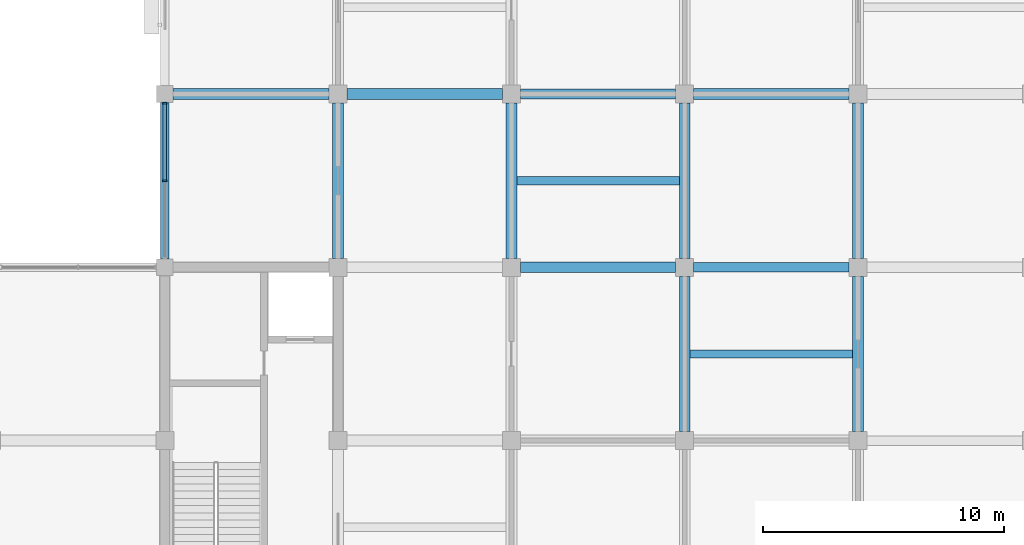
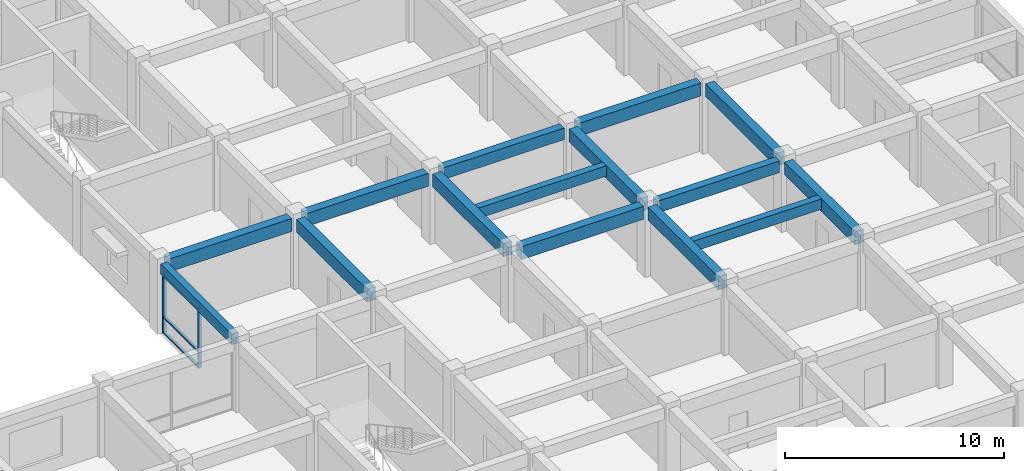
# One storey, part 6 of 31: 15 beams, 5 members, 1 element without a shape of its own.
"""IFC4 building model written with IfcOpenShell, lengths in metres."""

from ifc_helpers import new_model, si_unit, direction, frame, origin, origin_2d, place, context, subcontext, project, spatial, rectangle, extrude, material, layer, layer_set, material_profile, profile_set, type_object, element, aggregate, save


model = new_model("IFC4")

# Units and contexts
model_context = context("Model", 3, precision=1e-05, world=origin(), true_north=direction((0.0, 1.0)))
body_context = subcontext(model_context, "Body", "Model", "MODEL_VIEW")
ifc_project = project(units=[si_unit("LENGTHUNIT", "METRE"), si_unit("AREAUNIT", "SQUARE_METRE"), si_unit("VOLUMEUNIT", "CUBIC_METRE"), si_unit("PLANEANGLEUNIT", "RADIAN"), si_unit("MASSUNIT", "GRAM", prefix="KILO")], contexts=[model_context])

# Site, building, storey
site_placement = place(None, origin())
site = spatial("IfcSite", under=ifc_project, at=site_placement, CompositionType="ELEMENT")
building_placement = place(site_placement, origin())
building = spatial("IfcBuilding", under=site, at=building_placement, Name="Cendaluz Park School", CompositionType="ELEMENT")
storey_placement = place(building_placement, frame((0.0, 0.0, 14.39990234375)))
storey = spatial("IfcBuildingStorey", under=building, at=storey_placement, Name="L03", CompositionType="ELEMENT", Elevation=14.39990234375)

# Beams
ifc_material_1 = material(Name="Concrete C40/50", Category="concrete")
ifc_material_profile_1 = material_profile(ifc_material_1, rectangle(XDim=0.449951171875, YDim=0.719970703125, at=origin_2d()), Name="RC 450x720", Category="concrete")
ifc_profile_set_1 = profile_set([ifc_material_profile_1], Name="Concrete C40/50")
beam_type_1 = type_object("IfcBeamType", Name="BM-RC02", PredefinedType="BEAM", material=ifc_profile_set_1)
beam_1_placement = place(storey_placement, frame((65.14990234375, 36.0, 3.530029296875), z_axis=(1.0, 0.0, 0.0), x_axis=(0.0, 1.0, 0.0)))
element("IfcBeam", 1, at=beam_1_placement, inside=storey, type_object=beam_type_1, Name="BM-L03-BMRC02-0031", PredefinedType="BEAM", context=body_context, shape_type="SweptSolid", body=[
    extrude(rectangle(XDim=0.449951171875, YDim=0.719970703125, at=origin_2d()), origin(), (0.0, 0.0, 1.0), 6.47509765625),
])
for number, where, z_axis, x_axis, name in (
    (2, (72.375, 36.0, 3.530029296875), (1.0, 0.0, 0.0), (0.0, 1.0, 0.0), "BM-L03-BMRC02-0040"),
    (3, (79.574951171875, 28.800048828125, 3.530029296875), (1.0, 0.0, 0.0), (0.0, 1.0, 0.0), "BM-L03-BMRC02-0049"),
):
    element("IfcBeam", number, at=place(storey_placement, frame(where, z_axis=z_axis, x_axis=x_axis)), inside=storey, type_object=beam_type_1, Name=name, PredefinedType="BEAM", context=body_context, shape_type="SweptSolid", body=[
        extrude(rectangle(XDim=0.449951171875, YDim=0.719970703125, at=origin_2d()), origin(), (0.0, 0.0, 1.0), 6.449951171875),
    ])
beam_2_placement = place(storey_placement, frame((86.77490234375, 36.0, 3.530029296875), z_axis=(1.0, 0.0, 0.0), x_axis=(0.0, 1.0, 0.0)))
element("IfcBeam", 4, at=beam_2_placement, inside=storey, type_object=beam_type_1, Name="BM-L03-BMRC02-0060", PredefinedType="BEAM", context=body_context, shape_type="SweptSolid", body=[
    extrude(rectangle(XDim=0.449951171875, YDim=0.719970703125, at=origin_2d()), origin(), (0.0, 0.0, 1.0), 6.4501953125),
])
for number, where, z_axis, x_axis, name in (
    (5, (72.0, 29.175048828125, 3.530029296875), (0.0, 1.0, 0.0), (-1.0, 0.0, 0.0), "BM-L03-BMRC02-0144"),
    (6, (79.199951171875, 29.175048828125, 3.530029296875), (0.0, 1.0, 0.0), (-1.0, 0.0, 0.0), "BM-L03-BMRC02-0153"),
    (7, (86.39990234375, 21.97509765625, 3.530029296875), (0.0, 1.0, 0.0), (-1.0, 0.0, 0.0), "BM-L03-BMRC02-0161"),
    (8, (86.39990234375, 29.175048828125, 3.530029296875), (0.0, 1.0, 0.0), (-1.0, 0.0, 0.0), "BM-L03-BMRC02-0162"),
    (9, (93.60009765625, 21.97509765625, 3.530029296875), (0.0, 1.0, 0.0), (-1.0, 0.0, 0.0), "BM-L03-BMRC02-0170"),
    (10, (93.60009765625, 29.175048828125, 3.530029296875), (0.0, 1.0, 0.0), (-1.0, 0.0, 0.0), "BM-L03-BMRC02-0171"),
):
    element("IfcBeam", number, at=place(storey_placement, frame(where, z_axis=z_axis, x_axis=x_axis)), inside=storey, type_object=beam_type_1, Name=name, PredefinedType="BEAM", context=body_context, shape_type="SweptSolid", body=[
        extrude(rectangle(XDim=0.449951171875, YDim=0.719970703125, at=origin_2d()), origin(), (0.0, 0.0, 1.0), 6.449951171875),
    ])
ifc_material_profile_2 = material_profile(ifc_material_1, rectangle(XDim=0.39990234375, YDim=0.64990234375, at=origin_2d()), Name="RC 400x650", Category="concrete")
ifc_profile_set_2 = profile_set([ifc_material_profile_2], Name="Concrete C40/50")
beam_type_2 = type_object("IfcBeamType", Name="BM-RC03", PredefinedType="T_BEAM", material=ifc_profile_set_2)
beam_3_placement = place(storey_placement, frame((79.574951171875, 36.0, 3.565185546875), z_axis=(1.0, 0.0, 0.0), x_axis=(0.0, 1.0, 0.0)))
element("IfcBeam", 11, at=beam_3_placement, inside=storey, type_object=beam_type_2, Name="BM-L03-BMRC03-0050", PredefinedType="T_BEAM", context=body_context, shape_type="SweptSolid", body=[
    extrude(rectangle(XDim=0.39990234375, YDim=0.64990234375, at=origin_2d()), origin(), (0.0, 0.0, 1.0), 6.449951171875),
])
beam_4_placement = place(storey_placement, frame((86.77490234375, 28.800048828125, 3.565185546875), z_axis=(1.0, 0.0, 0.0), x_axis=(0.0, 1.0, 0.0)))
element("IfcBeam", 12, at=beam_4_placement, inside=storey, type_object=beam_type_2, Name="BM-L03-BMRC03-0059", PredefinedType="T_BEAM", context=body_context, shape_type="SweptSolid", body=[
    extrude(rectangle(XDim=0.39990234375, YDim=0.64990234375, at=origin_2d()), origin(), (0.0, 0.0, 1.0), 6.4501953125),
])
ifc_material_profile_3 = material_profile(ifc_material_1, rectangle(XDim=0.35009765625, YDim=0.580078125, at=origin_2d()), Name="RC 350x580", Category="concrete")
ifc_profile_set_3 = profile_set([ifc_material_profile_3], Name="Concrete C40/50")
beam_type_3 = type_object("IfcBeamType", Name="BM-RC04", PredefinedType="LINTEL", material=ifc_profile_set_3)
beam_5_placement = place(storey_placement, frame((64.800048828125, 29.14990234375, 3.60009765625), z_axis=(0.0, 1.0, 0.0), x_axis=(-1.0, 0.0, 0.0)))
element("IfcBeam", 13, at=beam_5_placement, inside=storey, type_object=beam_type_3, Name="BM-L03-BMRC04-0135", PredefinedType="LINTEL", context=body_context, shape_type="SweptSolid", body=[
    extrude(rectangle(XDim=0.35009765625, YDim=0.580078125, at=origin_2d()), origin(), (0.0, 0.0, 1.0), 6.5),
])

# Curtain wall, members
ifc_material_2 = material(Name="Anodised Aluminium 6063-T6", Category="aluminium")
ifc_layer = layer(ifc_material_2, 0.179931640625)
ifc_layer_set = layer_set([ifc_layer], Name="Anodised Aluminium 6063-T6")
curtain_wall_type = type_object("IfcCurtainWallType", Name="CW-130x66", PredefinedType="NOTDEFINED", material=ifc_layer_set)
curtain_wall_placement = place(storey_placement, origin())
curtain_wall = element("IfcCurtainWall", 14, at=curtain_wall_placement, inside=storey, type_object=curtain_wall_type, Name="CW-L03-141", PredefinedType="NOTDEFINED")
ifc_material_profile_4 = material_profile(ifc_material_2, rectangle(XDim=0.179931640625, YDim=0.070068359375, at=origin_2d()), Name="CWM 180x70", Category="aluminium")
ifc_profile_set_4 = profile_set([ifc_material_profile_4], Name="Anodised Aluminium 6063-T6")
member_type_1 = type_object("IfcMemberType", Name="CWM-01", PredefinedType="MULLION", material=ifc_profile_set_4)
member_1_placement = place(storey_placement, frame((64.800048828125, 32.39990234375, 0.0), z_axis=(0.0, 0.0, 1.0), x_axis=(-1.0, 0.0, 0.0)))
member_1 = element("IfcMember", 15, at=member_1_placement, type_object=member_type_1, Name="CP-L03-1822", PredefinedType="MULLION", context=body_context, shape_type="SweptSolid", body=[
    extrude(rectangle(XDim=0.179931640625, YDim=0.070068359375, at=origin_2d()), origin(), (0.0, 0.0, 1.0), 3.31005859375),
])
member_2_placement = place(storey_placement, frame((64.800048828125, 35.614990234375, 0.0), z_axis=(0.0, 0.0, 1.0), x_axis=(-1.0, 0.0, 0.0)))
member_2 = element("IfcMember", 16, at=member_2_placement, type_object=member_type_1, Name="CP-L03-1823", PredefinedType="MULLION", context=body_context, shape_type="SweptSolid", body=[
    extrude(rectangle(XDim=0.179931640625, YDim=0.070068359375, at=origin_2d()), origin(), (0.0, 0.0, 1.0), 3.31005859375),
])
ifc_material_profile_5 = material_profile(ifc_material_2, rectangle(XDim=0.139892578125, YDim=0.070068359375, at=origin_2d()), Name="CWT 140x70", Category="aluminium")
ifc_profile_set_5 = profile_set([ifc_material_profile_5], Name="Anodised Aluminium 6063-T6")
member_type_2 = type_object("IfcMemberType", Name="CWT-01", PredefinedType="USERDEFINED", material=ifc_profile_set_5)
member_3_placement = place(storey_placement, frame((64.800048828125, 32.43505859375, 0.03515625), z_axis=(0.0, 1.0, 0.0), x_axis=(-1.0, 0.0, 0.0)))
member_3 = element("IfcMember", 17, at=member_3_placement, type_object=member_type_2, Name="CP-L03-1829", ObjectType="TRANSOM", PredefinedType="USERDEFINED", context=body_context, shape_type="SweptSolid", body=[
    extrude(rectangle(XDim=0.139892578125, YDim=0.070068359375, at=origin_2d()), origin(), (0.0, 0.0, 1.0), 3.14501953125),
])
member_4_placement = place(storey_placement, frame((64.800048828125, 32.43505859375, 0.900146484375), z_axis=(0.0, 1.0, 0.0), x_axis=(-1.0, 0.0, 0.0)))
member_4 = element("IfcMember", 18, at=member_4_placement, type_object=member_type_2, Name="CP-L03-1830", ObjectType="TRANSOM", PredefinedType="USERDEFINED", context=body_context, shape_type="SweptSolid", body=[
    extrude(rectangle(XDim=0.139892578125, YDim=0.070068359375, at=origin_2d()), origin(), (0.0, 0.0, 1.0), 3.14501953125),
])
member_5_placement = place(storey_placement, frame((64.800048828125, 32.43505859375, 3.275146484375), z_axis=(0.0, 1.0, 0.0), x_axis=(-1.0, 0.0, 0.0)))
member_5 = element("IfcMember", 19, at=member_5_placement, type_object=member_type_2, Name="CP-L03-1831", ObjectType="TRANSOM", PredefinedType="USERDEFINED", context=body_context, shape_type="SweptSolid", body=[
    extrude(rectangle(XDim=0.139892578125, YDim=0.070068359375, at=origin_2d()), origin(), (0.0, 0.0, 1.0), 3.14501953125),
])
aggregate(curtain_wall, [member_1, member_2, member_3, member_4, member_5])

# Beams
ifc_material_profile_6 = material_profile(ifc_material_1, rectangle(XDim=0.35009765625, YDim=0.580078125, at=origin_2d()), Name="RC 350x580", Category="concrete")
ifc_profile_set_6 = profile_set([ifc_material_profile_6], Name="Concrete C40/50")
beam_type_4 = type_object("IfcBeamType", Name="JT-RC01", PredefinedType="JOIST", material=ifc_profile_set_6)
for number, where, z_axis, x_axis, name in (
    (20, (79.425048828125, 32.39990234375, 3.60009765625), (1.0, 0.0, 0.0), (0.0, 1.0, 0.0), "BM-L03-JTRC01-0228"),
    (21, (86.625, 25.199951171875, 3.60009765625), (1.0, 0.0, 0.0), (0.0, 1.0, 0.0), "BM-L03-JTRC01-0230"),
):
    element("IfcBeam", number, at=place(storey_placement, frame(where, z_axis=z_axis, x_axis=x_axis)), inside=storey, type_object=beam_type_4, Name=name, PredefinedType="JOIST", context=body_context, shape_type="SweptSolid", body=[
        extrude(rectangle(XDim=0.35009765625, YDim=0.580078125, at=origin_2d()), origin(), (0.0, 0.0, 1.0), 6.75),
    ])

save(model, "model.ifc")
